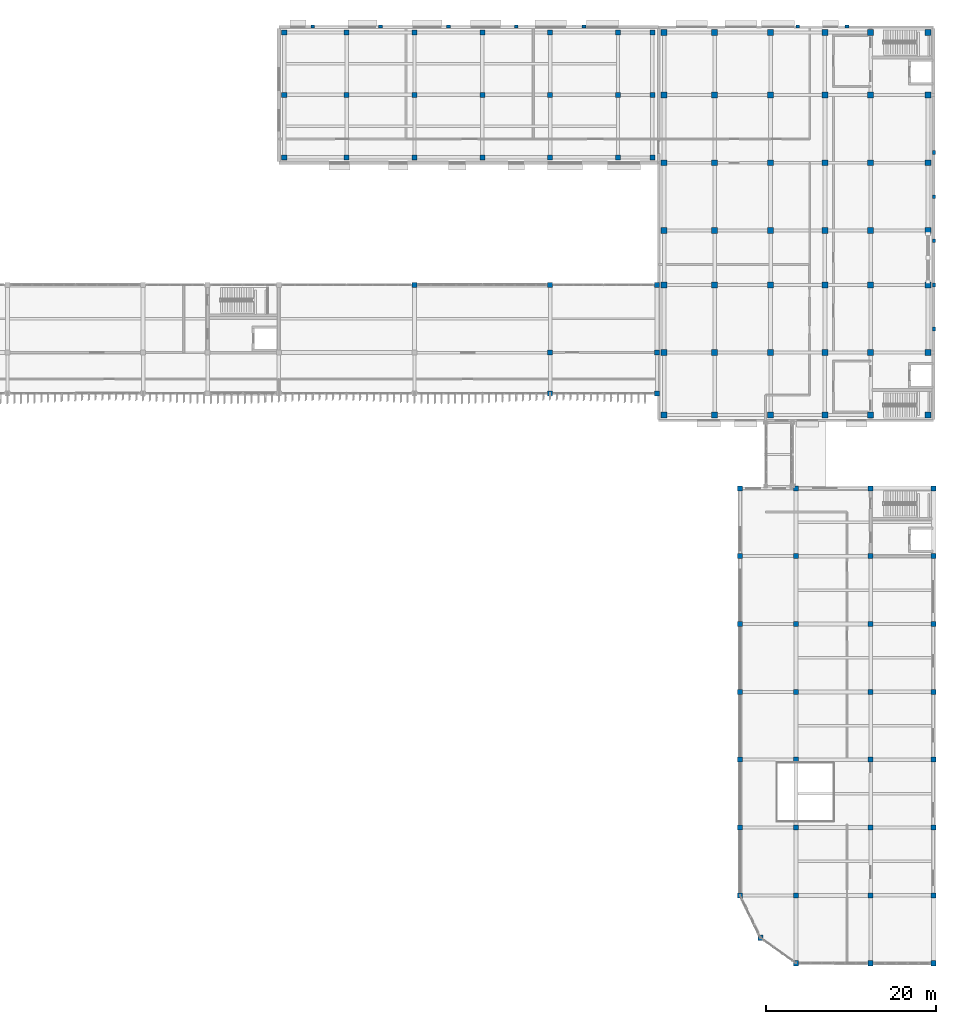
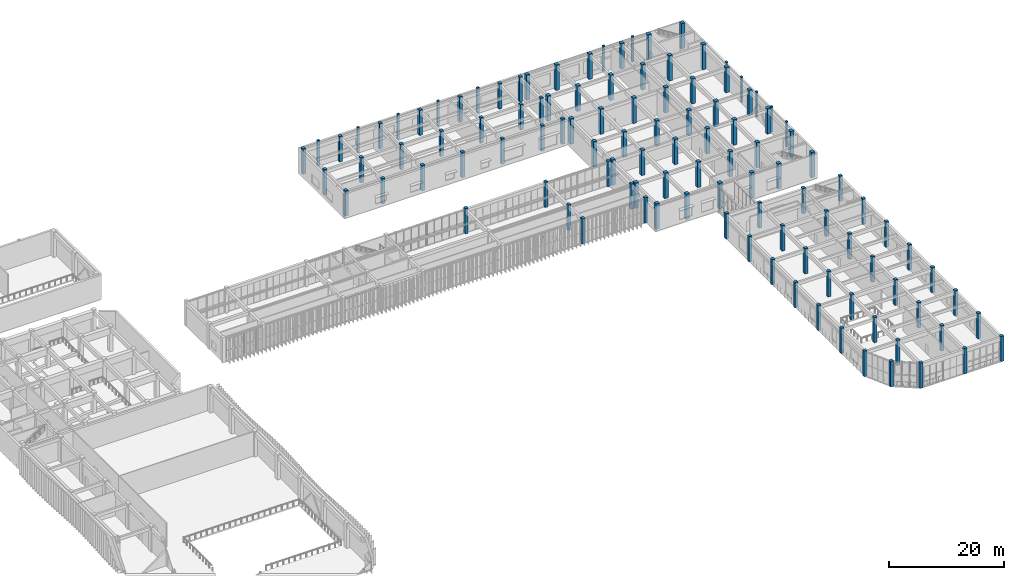
# One storey, part 3 of 64: 114 columns.
"""IFC4 building model written with IfcOpenShell, lengths in metres."""

from ifc_helpers import new_model, si_unit, direction, frame, origin, origin_2d, place, context, subcontext, project, spatial, rectangle, extrude, material, material_profile, profile_set, type_object, element, save


model = new_model("IFC4")

# Units and contexts
model_context = context("Model", 3, precision=1e-05, world=origin(), true_north=direction((0.0, 1.0)))
body_context = subcontext(model_context, "Body", "Model", "MODEL_VIEW")
ifc_project = project(units=[si_unit("LENGTHUNIT", "METRE"), si_unit("AREAUNIT", "SQUARE_METRE"), si_unit("VOLUMEUNIT", "CUBIC_METRE"), si_unit("PLANEANGLEUNIT", "RADIAN"), si_unit("MASSUNIT", "GRAM", prefix="KILO")], contexts=[model_context])

# Site, building, storey
site_placement = place(None, origin())
site = spatial("IfcSite", under=ifc_project, at=site_placement, CompositionType="ELEMENT")
building_placement = place(site_placement, origin())
building = spatial("IfcBuilding", under=site, at=building_placement, Name="Cinchona Park Media Centre", CompositionType="ELEMENT")
storey_placement = place(building_placement, frame((0.0, 0.0, 10.199951171875)))
storey = spatial("IfcBuildingStorey", under=building, at=storey_placement, Name="L02", CompositionType="ELEMENT", Elevation=10.199951171875)

# Columns
ifc_material_1 = material(Name="Concrete C40/50", Category="concrete")
ifc_material_profile_1 = material_profile(ifc_material_1, rectangle(XDim=0.699951171875, YDim=0.699951171875, at=origin_2d()), Name="RC 700X700")
ifc_profile_set_1 = profile_set([ifc_material_profile_1], Name="Concrete C40/50")
column_type_1 = type_object("IfcColumnType", Name="COL-C02-RC700X700", PredefinedType="COLUMN", material=ifc_profile_set_1)
for number, where, z_axis, x_axis, name in (
    (1, (140.239990234375, 72.239990234375, 0.0), (0.0, 0.0, 1.0), (1.0, 0.0, 0.0), "Column C02 L02"),
    (2, (140.239990234375, 79.60009765625, 0.0), (0.0, 0.0, 1.0), (1.0, 0.0, 0.0), "Column C02 L02"),
    (3, (140.239990234375, 87.60009765625, 0.0), (0.0, 0.0, 1.0), (1.0, 0.0, 0.0), "Column C02 L02"),
    (4, (140.239990234375, 94.0, 0.0), (0.0, 0.0, 1.0), (1.0, 0.0, 0.0), "Column C02 L02"),
    (5, (140.239990234375, 102.0, 0.0), (0.0, 0.0, 1.0), (1.0, 0.0, 0.0), "Column C02 L02"),
    (6, (140.239990234375, 110.0, 0.0), (0.0, 0.0, 1.0), (1.0, 0.0, 0.0), "Column C02 L02"),
    (7, (140.239990234375, 117.360107421875, 0.0), (0.0, 0.0, 1.0), (1.0, 0.0, 0.0), "Column C02 L02"),
    (8, (146.199951171875, 72.239990234375, 0.0), (0.0, 0.0, 1.0), (1.0, 0.0, 0.0), "Column C02 L02"),
    (9, (146.199951171875, 79.60009765625, 0.0), (0.0, 0.0, 1.0), (1.0, 0.0, 0.0), "Column C02 L02"),
    (10, (146.199951171875, 87.60009765625, 0.0), (0.0, 0.0, 1.0), (1.0, 0.0, 0.0), "Column C02 L02"),
    (11, (146.199951171875, 94.0, 0.0), (0.0, 0.0, 1.0), (1.0, 0.0, 0.0), "Column C02 L02"),
    (12, (146.199951171875, 102.0, 0.0), (0.0, 0.0, 1.0), (1.0, 0.0, 0.0), "Column C02 L02"),
    (13, (146.199951171875, 110.0, 0.0), (0.0, 0.0, 1.0), (1.0, 0.0, 0.0), "Column C02 L02"),
    (14, (146.199951171875, 117.360107421875, 0.0), (0.0, 0.0, 1.0), (1.0, 0.0, 0.0), "Column C02 L02"),
    (15, (152.800048828125, 72.239990234375, 0.0), (0.0, 0.0, 1.0), (1.0, 0.0, 0.0), "Column C02 L02"),
    (16, (152.800048828125, 79.60009765625, 0.0), (0.0, 0.0, 1.0), (1.0, 0.0, 0.0), "Column C02 L02"),
    (17, (152.800048828125, 87.60009765625, 0.0), (0.0, 0.0, 1.0), (1.0, 0.0, 0.0), "Column C02 L02"),
    (18, (152.800048828125, 94.0, 0.0), (0.0, 0.0, 1.0), (1.0, 0.0, 0.0), "Column C02 L02"),
    (19, (152.800048828125, 102.0, 0.0), (0.0, 0.0, 1.0), (1.0, 0.0, 0.0), "Column C02 L02"),
    (20, (152.800048828125, 110.0, 0.0), (0.0, 0.0, 1.0), (1.0, 0.0, 0.0), "Column C02 L02"),
    (21, (152.800048828125, 117.360107421875, 0.0), (0.0, 0.0, 1.0), (1.0, 0.0, 0.0), "Column C02 L02"),
    (22, (159.199951171875, 72.239990234375, 0.0), (0.0, 0.0, 1.0), (1.0, 0.0, 0.0), "Column C02 L02"),
    (23, (159.199951171875, 79.60009765625, 0.0), (0.0, 0.0, 1.0), (1.0, 0.0, 0.0), "Column C02 L02"),
    (24, (159.199951171875, 87.60009765625, 0.0), (0.0, 0.0, 1.0), (1.0, 0.0, 0.0), "Column C02 L02"),
    (25, (159.199951171875, 94.0, 0.0), (0.0, 0.0, 1.0), (1.0, 0.0, 0.0), "Column C02 L02"),
    (26, (159.199951171875, 102.0, 0.0), (0.0, 0.0, 1.0), (1.0, 0.0, 0.0), "Column C02 L02"),
    (27, (159.199951171875, 110.0, 0.0), (0.0, 0.0, 1.0), (1.0, 0.0, 0.0), "Column C02 L02"),
    (28, (159.199951171875, 117.360107421875, 0.0), (0.0, 0.0, 1.0), (1.0, 0.0, 0.0), "Column C02 L02"),
    (29, (164.60009765625, 72.239990234375, 0.0), (0.0, 0.0, 1.0), (1.0, 0.0, 0.0), "Column C02 L02"),
    (30, (164.60009765625, 79.60009765625, 0.0), (0.0, 0.0, 1.0), (1.0, 0.0, 0.0), "Column C02 L02"),
    (31, (164.60009765625, 87.60009765625, 0.0), (0.0, 0.0, 1.0), (1.0, 0.0, 0.0), "Column C02 L02"),
    (32, (164.60009765625, 94.0, 0.0), (0.0, 0.0, 1.0), (1.0, 0.0, 0.0), "Column C02 L02"),
    (33, (164.60009765625, 102.0, 0.0), (0.0, 0.0, 1.0), (1.0, 0.0, 0.0), "Column C02 L02"),
    (34, (164.60009765625, 110.0, 0.0), (0.0, 0.0, 1.0), (1.0, 0.0, 0.0), "Column C02 L02"),
    (35, (164.60009765625, 117.360107421875, 0.0), (0.0, 0.0, 1.0), (1.0, 0.0, 0.0), "Column C02 L02"),
    (36, (171.360107421875, 72.239990234375, 0.0), (0.0, 0.0, 1.0), (1.0, 0.0, 0.0), "Column C02 L02"),
    (37, (171.360107421875, 79.60009765625, 0.0), (0.0, 0.0, 1.0), (1.0, 0.0, 0.0), "Column C02 L02"),
    (38, (171.360107421875, 87.60009765625, 0.0), (0.0, 0.0, 1.0), (1.0, 0.0, 0.0), "Column C02 L02"),
    (39, (171.360107421875, 94.0, 0.0), (0.0, 0.0, 1.0), (1.0, 0.0, 0.0), "Column C02 L02"),
    (40, (171.360107421875, 102.0, 0.0), (0.0, 0.0, 1.0), (1.0, 0.0, 0.0), "Column C02 L02"),
    (41, (171.360107421875, 110.0, 0.0), (0.0, 0.0, 1.0), (1.0, 0.0, 0.0), "Column C02 L02"),
    (42, (171.360107421875, 117.360107421875, 0.0), (0.0, 0.0, 1.0), (1.0, 0.0, 0.0), "Column C02 L02"),
):
    element("IfcColumn", number, at=place(storey_placement, frame(where, z_axis=z_axis, x_axis=x_axis)), inside=storey, type_object=column_type_1, Name=name, PredefinedType="COLUMN", context=body_context, shape_type="SweptSolid", body=[
        extrude(rectangle(XDim=0.699951171875, YDim=0.699951171875, at=origin_2d()), origin(), (0.0, 0.0, 1.0), 5.400146484375),
    ])
ifc_material_2 = material(Name="Concrete C40/50", Category="concrete")
ifc_material_profile_2 = material_profile(ifc_material_2, rectangle(XDim=0.60009765625, YDim=0.60009765625, at=origin_2d()), Name="RC 600X600")
ifc_profile_set_2 = profile_set([ifc_material_profile_2], Name="Concrete C40/50")
column_type_2 = type_object("IfcColumnType", Name="COL-C03-RC600X600", PredefinedType="COLUMN", material=ifc_profile_set_2)
for number, where, z_axis, x_axis, name in (
    (43, (95.43994140625, 102.639892578125, 0.0), (0.0, 0.0, 1.0), (1.0, 0.0, 0.0), "Column C03 L02"),
    (44, (95.43994140625, 110.0, 0.0), (0.0, 0.0, 1.0), (1.0, 0.0, 0.0), "Column C03 L02"),
    (45, (95.43994140625, 117.360107421875, 0.0), (0.0, 0.0, 1.0), (1.0, 0.0, 0.0), "Column C03 L02"),
    (46, (102.800048828125, 102.639892578125, 0.0), (0.0, 0.0, 1.0), (1.0, 0.0, 0.0), "Column C03 L02"),
    (47, (102.800048828125, 110.0, 0.0), (0.0, 0.0, 1.0), (1.0, 0.0, 0.0), "Column C03 L02"),
    (48, (102.800048828125, 117.360107421875, 0.0), (0.0, 0.0, 1.0), (1.0, 0.0, 0.0), "Column C03 L02"),
    (49, (110.800048828125, 102.639892578125, 0.0), (0.0, 0.0, 1.0), (1.0, 0.0, 0.0), "Column C03 L02"),
    (50, (110.800048828125, 110.0, 0.0), (0.0, 0.0, 1.0), (1.0, 0.0, 0.0), "Column C03 L02"),
    (51, (110.800048828125, 117.360107421875, 0.0), (0.0, 0.0, 1.0), (1.0, 0.0, 0.0), "Column C03 L02"),
    (52, (118.800048828125, 102.639892578125, 0.0), (0.0, 0.0, 1.0), (1.0, 0.0, 0.0), "Column C03 L02"),
    (53, (118.800048828125, 110.0, 0.0), (0.0, 0.0, 1.0), (1.0, 0.0, 0.0), "Column C03 L02"),
    (54, (118.800048828125, 117.360107421875, 0.0), (0.0, 0.0, 1.0), (1.0, 0.0, 0.0), "Column C03 L02"),
    (55, (126.800048828125, 102.639892578125, 0.0), (0.0, 0.0, 1.0), (1.0, 0.0, 0.0), "Column C03 L02"),
    (56, (126.800048828125, 110.0, 0.0), (0.0, 0.0, 1.0), (1.0, 0.0, 0.0), "Column C03 L02"),
    (57, (126.800048828125, 117.360107421875, 0.0), (0.0, 0.0, 1.0), (1.0, 0.0, 0.0), "Column C03 L02"),
    (58, (134.800048828125, 102.639892578125, 0.0), (0.0, 0.0, 1.0), (1.0, 0.0, 0.0), "Column C03 L02"),
    (59, (134.800048828125, 110.0, 0.0), (0.0, 0.0, 1.0), (1.0, 0.0, 0.0), "Column C03 L02"),
    (60, (134.800048828125, 117.360107421875, 0.0), (0.0, 0.0, 1.0), (1.0, 0.0, 0.0), "Column C03 L02"),
    (61, (138.860107421875, 102.639892578125, 0.0), (0.0, 0.0, 1.0), (1.0, 0.0, 0.0), "Column C03 L02"),
    (62, (138.860107421875, 110.0, 0.0), (0.0, 0.0, 1.0), (1.0, 0.0, 0.0), "Column C03 L02"),
    (63, (138.860107421875, 117.360107421875, 0.0), (0.0, 0.0, 1.0), (1.0, 0.0, 0.0), "Column C03 L02"),
    (64, (110.800048828125, 87.60009765625, 0.0), (0.0, 0.0, 1.0), (1.0, 0.0, 0.0), "Column C03 L02"),
    (65, (126.800048828125, 74.800048828125, 0.0), (0.0, 0.0, 1.0), (1.0, 0.0, 0.0), "Column C03 L02"),
    (66, (126.800048828125, 79.60009765625, 0.0), (0.0, 0.0, 1.0), (1.0, 0.0, 0.0), "Column C03 L02"),
    (67, (126.800048828125, 87.60009765625, 0.0), (0.0, 0.0, 1.0), (1.0, 0.0, 0.0), "Column C03 L02"),
    (68, (139.39990234375, 74.800048828125, 0.0), (0.0, 0.0, 1.0), (1.0, 0.0, 0.0), "Column C03 L02"),
    (69, (139.39990234375, 79.60009765625, 0.0), (0.0, 0.0, 1.0), (1.0, 0.0, 0.0), "Column C03 L02"),
    (70, (139.39990234375, 87.60009765625, 0.0), (0.0, 0.0, 1.0), (1.0, 0.0, 0.0), "Column C03 L02"),
    (71, (149.199951171875, 15.60009765625, 0.0), (0.0, 0.0, 1.0), (1.0, 0.0, 0.0), "Column C03 L02"),
    (72, (149.199951171875, 23.60009765625, 0.0), (0.0, 0.0, 1.0), (1.0, 0.0, 0.0), "Column C03 L02"),
    (73, (149.199951171875, 31.60009765625, 0.0), (0.0, 0.0, 1.0), (1.0, 0.0, 0.0), "Column C03 L02"),
    (74, (149.199951171875, 39.60009765625, 0.0), (0.0, 0.0, 1.0), (1.0, 0.0, 0.0), "Column C03 L02"),
    (75, (149.199951171875, 47.60009765625, 0.0), (0.0, 0.0, 1.0), (1.0, 0.0, 0.0), "Column C03 L02"),
    (76, (149.199951171875, 55.60009765625, 0.0), (0.0, 0.0, 1.0), (1.0, 0.0, 0.0), "Column C03 L02"),
    (77, (149.199951171875, 63.60009765625, 0.0), (0.0, 0.0, 1.0), (1.0, 0.0, 0.0), "Column C03 L02"),
    (78, (151.60009765625, 10.60009765625, 0.0), (0.0, 0.0, 1.0), (1.0, 0.0, 0.0), "Column C03 L02"),
    (79, (155.800048828125, 7.60009765625, 0.0), (0.0, 0.0, 1.0), (1.0, 0.0, 0.0), "Column C03 L02"),
    (80, (155.800048828125, 15.60009765625, 0.0), (0.0, 0.0, 1.0), (1.0, 0.0, 0.0), "Column C03 L02"),
    (81, (155.800048828125, 23.60009765625, 0.0), (0.0, 0.0, 1.0), (1.0, 0.0, 0.0), "Column C03 L02"),
    (82, (155.800048828125, 31.60009765625, 0.0), (0.0, 0.0, 1.0), (1.0, 0.0, 0.0), "Column C03 L02"),
    (83, (155.800048828125, 39.60009765625, 0.0), (0.0, 0.0, 1.0), (1.0, 0.0, 0.0), "Column C03 L02"),
    (84, (155.800048828125, 47.60009765625, 0.0), (0.0, 0.0, 1.0), (1.0, 0.0, 0.0), "Column C03 L02"),
    (85, (155.800048828125, 55.60009765625, 0.0), (0.0, 0.0, 1.0), (1.0, 0.0, 0.0), "Column C03 L02"),
    (86, (155.800048828125, 63.60009765625, 0.0), (0.0, 0.0, 1.0), (1.0, 0.0, 0.0), "Column C03 L02"),
    (87, (164.60009765625, 7.60009765625, 0.0), (0.0, 0.0, 1.0), (1.0, 0.0, 0.0), "Column C03 L02"),
    (88, (164.60009765625, 15.60009765625, 0.0), (0.0, 0.0, 1.0), (1.0, 0.0, 0.0), "Column C03 L02"),
    (89, (164.60009765625, 23.60009765625, 0.0), (0.0, 0.0, 1.0), (1.0, 0.0, 0.0), "Column C03 L02"),
    (90, (164.60009765625, 31.60009765625, 0.0), (0.0, 0.0, 1.0), (1.0, 0.0, 0.0), "Column C03 L02"),
    (91, (164.60009765625, 39.60009765625, 0.0), (0.0, 0.0, 1.0), (1.0, 0.0, 0.0), "Column C03 L02"),
    (92, (164.60009765625, 47.60009765625, 0.0), (0.0, 0.0, 1.0), (1.0, 0.0, 0.0), "Column C03 L02"),
    (93, (164.60009765625, 55.60009765625, 0.0), (0.0, 0.0, 1.0), (1.0, 0.0, 0.0), "Column C03 L02"),
    (94, (164.60009765625, 63.60009765625, 0.0), (0.0, 0.0, 1.0), (1.0, 0.0, 0.0), "Column C03 L02"),
    (95, (172.0, 7.60009765625, 0.0), (0.0, 0.0, 1.0), (1.0, 0.0, 0.0), "Column C03 L02"),
    (96, (172.0, 15.60009765625, 0.0), (0.0, 0.0, 1.0), (1.0, 0.0, 0.0), "Column C03 L02"),
    (97, (172.0, 23.60009765625, 0.0), (0.0, 0.0, 1.0), (1.0, 0.0, 0.0), "Column C03 L02"),
    (98, (172.0, 31.60009765625, 0.0), (0.0, 0.0, 1.0), (1.0, 0.0, 0.0), "Column C03 L02"),
    (99, (172.0, 39.60009765625, 0.0), (0.0, 0.0, 1.0), (1.0, 0.0, 0.0), "Column C03 L02"),
    (100, (172.0, 47.60009765625, 0.0), (0.0, 0.0, 1.0), (1.0, 0.0, 0.0), "Column C03 L02"),
    (101, (172.0, 55.60009765625, 0.0), (0.0, 0.0, 1.0), (1.0, 0.0, 0.0), "Column C03 L02"),
    (102, (172.0, 63.60009765625, 0.0), (0.0, 0.0, 1.0), (1.0, 0.0, 0.0), "Column C03 L02"),
):
    element("IfcColumn", number, at=place(storey_placement, frame(where, z_axis=z_axis, x_axis=x_axis)), inside=storey, type_object=column_type_2, Name=name, PredefinedType="COLUMN", context=body_context, shape_type="SweptSolid", body=[
        extrude(rectangle(XDim=0.60009765625, YDim=0.60009765625, at=origin_2d()), origin(), (0.0, 0.0, 1.0), 5.400146484375),
    ])
ifc_material_3 = material(Name="Concrete C40/50", Category="concrete")
ifc_material_profile_3 = material_profile(ifc_material_3, rectangle(XDim=0.35009765625, YDim=0.449951171875, at=origin_2d()), Name="RC 350X450")
ifc_profile_set_3 = profile_set([ifc_material_profile_3], Name="Concrete C40/50")
column_type_3 = type_object("IfcColumnType", Name="COL-CP01-RC350X450", PredefinedType="PILASTER", material=ifc_profile_set_3)
for number, where, z_axis, x_axis, name in (
    (103, (98.800048828125, 118.080078125, 0.0), (0.0, 0.0, 1.0), (0.0, 1.0, 0.0), "Pilaster CP01 L02"),
    (104, (106.800048828125, 118.080078125, 0.0), (0.0, 0.0, 1.0), (0.0, 1.0, 0.0), "Pilaster CP01 L02"),
    (105, (114.800048828125, 118.080078125, 0.0), (0.0, 0.0, 1.0), (0.0, 1.0, 0.0), "Pilaster CP01 L02"),
    (106, (122.800048828125, 118.080078125, 0.0), (0.0, 0.0, 1.0), (0.0, 1.0, 0.0), "Pilaster CP01 L02"),
    (107, (130.800048828125, 118.080078125, 0.0), (0.0, 0.0, 1.0), (0.0, 1.0, 0.0), "Pilaster CP01 L02"),
    (108, (172.080078125, 82.39990234375, 0.0), (0.0, 0.0, 1.0), (1.0, 0.0, 0.0), "Pilaster CP01 L02"),
    (109, (172.080078125, 87.60009765625, 0.0), (0.0, 0.0, 1.0), (1.0, 0.0, 0.0), "Pilaster CP01 L02"),
    (110, (172.080078125, 92.800048828125, 0.0), (0.0, 0.0, 1.0), (1.0, 0.0, 0.0), "Pilaster CP01 L02"),
    (111, (172.080078125, 98.0, 0.0), (0.0, 0.0, 1.0), (1.0, 0.0, 0.0), "Pilaster CP01 L02"),
    (112, (172.080078125, 103.199951171875, 0.0), (0.0, 0.0, 1.0), (1.0, 0.0, 0.0), "Pilaster CP01 L02"),
    (113, (156.0, 118.080078125, 0.0), (0.0, 0.0, 1.0), (0.0, 1.0, 0.0), "Pilaster CP01 L02"),
    (114, (161.800048828125, 118.080078125, 0.0), (0.0, 0.0, 1.0), (0.0, 1.0, 0.0), "Pilaster CP01 L02"),
):
    element("IfcColumn", number, at=place(storey_placement, frame(where, z_axis=z_axis, x_axis=x_axis)), inside=storey, type_object=column_type_3, Name=name, PredefinedType="PILASTER", context=body_context, shape_type="SweptSolid", body=[
        extrude(rectangle(XDim=0.35009765625, YDim=0.449951171875, at=origin_2d()), origin(), (0.0, 0.0, 1.0), 5.400146484375),
    ])

save(model, "model.ifc")
